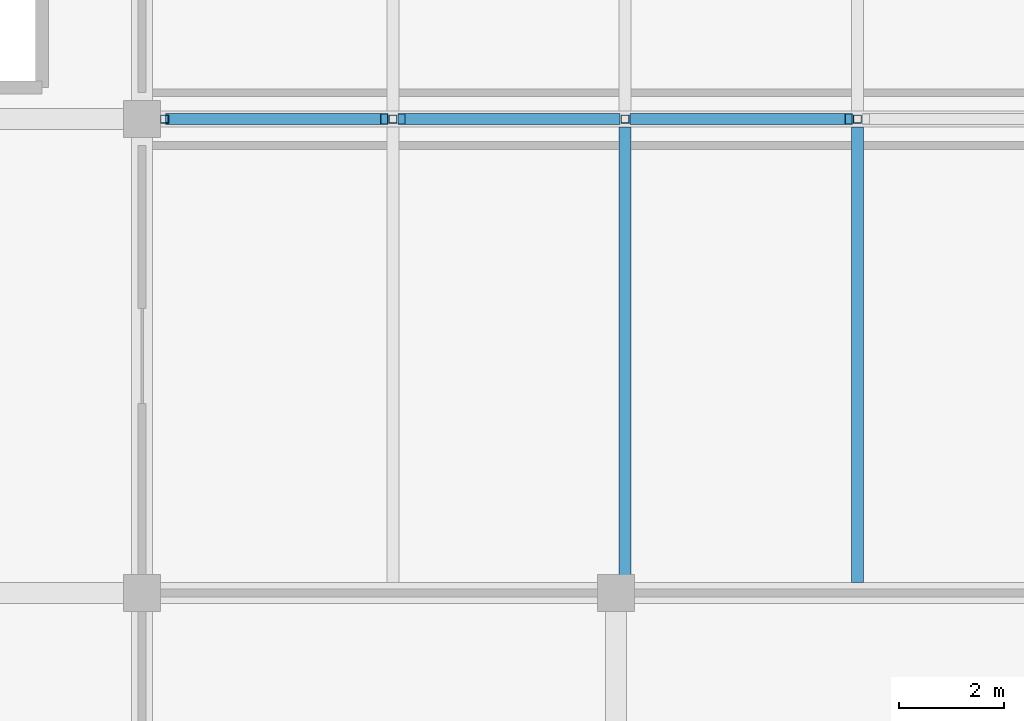
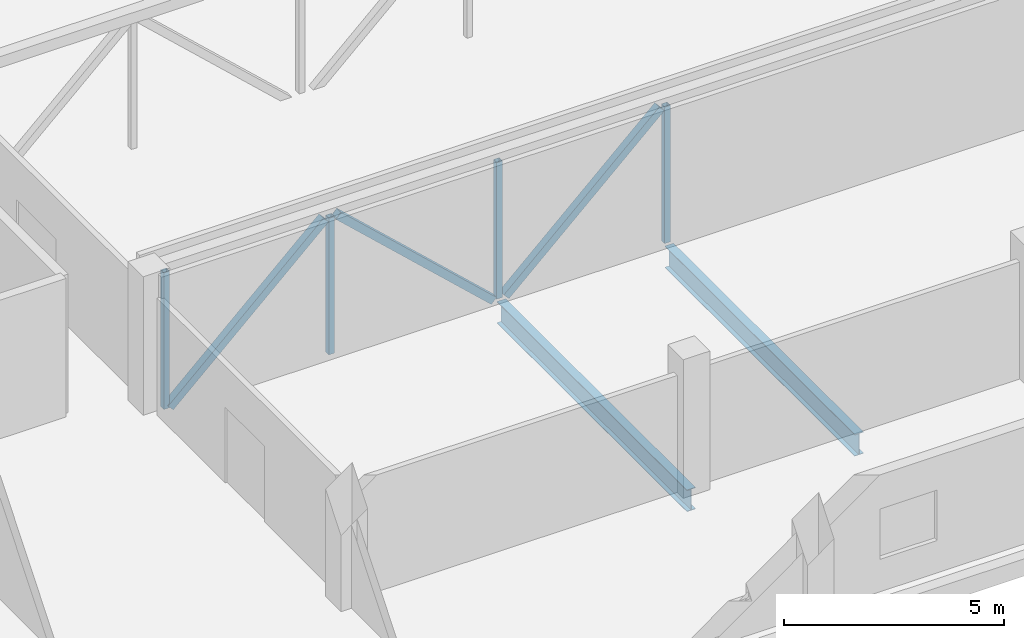
# One storey, part 4 of 42: 7 members, 2 beams.
"""IFC4 building model written with IfcOpenShell, lengths in metres."""

from ifc_helpers import new_model, si_unit, direction, frame, origin, origin_2d, place, context, subcontext, project, spatial, hollow_rectangle, i_section, extrude, material, material_profile, profile_set, type_object, element, save


model = new_model("IFC4")

# Units and contexts
model_context = context("Model", 3, precision=1e-05, world=origin(), true_north=direction((0.0, 1.0)))
body_context = subcontext(model_context, "Body", "Model", "MODEL_VIEW")
ifc_project = project(units=[si_unit("LENGTHUNIT", "METRE"), si_unit("AREAUNIT", "SQUARE_METRE"), si_unit("VOLUMEUNIT", "CUBIC_METRE"), si_unit("PLANEANGLEUNIT", "RADIAN"), si_unit("MASSUNIT", "GRAM", prefix="KILO")], contexts=[model_context])

# Site, building, storey
site_placement = place(None, origin())
site = spatial("IfcSite", under=ifc_project, at=site_placement, CompositionType="ELEMENT")
building_placement = place(site_placement, origin())
building = spatial("IfcBuilding", under=site, at=building_placement, Name="Corbel Stack Research Tower", CompositionType="ELEMENT")
storey_placement = place(building_placement, frame((0.0, 0.0, 11.300048828125)))
storey = spatial("IfcBuildingStorey", under=building, at=storey_placement, Name="L02", CompositionType="ELEMENT", Elevation=11.300048828125)

# Beams
ifc_material_1 = material(Name="Steel S355", Category="steel")
ifc_material_profile_1 = material_profile(ifc_material_1, i_section(OverallWidth=0.22802734375, OverallDepth=0.60302734375, WebThickness=0.010986328125, FlangeThickness=0.014892578125, at=origin_2d()), Name="W24x68")
ifc_profile_set_1 = profile_set([ifc_material_profile_1], Name="Steel S355")
beam_type = type_object("IfcBeamType", Name="HB2 steel beam W24x68", PredefinedType="BEAM", material=ifc_profile_set_1)
for number, where, z_axis, x_axis, name in (
    (1, (60.125, -17.800048828125, -0.551513671875), (0.0, 1.0, 0.0), (-1.0, 0.0, 0.0), "Steel floor beam L02 bay 1 line 2"),
    (2, (64.53759765625, -17.800048828125, -0.551513671875), (0.0, 1.0, 0.0), (-1.0, 0.0, 0.0), "Steel floor beam L02 bay 1 line 3"),
):
    element("IfcBeam", number, at=place(storey_placement, frame(where, z_axis=z_axis, x_axis=x_axis)), inside=storey, type_object=beam_type, Name=name, PredefinedType="BEAM", context=body_context, shape_type="SweptSolid", body=[
        extrude(i_section(OverallWidth=0.22802734375, OverallDepth=0.60302734375, WebThickness=0.010986328125, FlangeThickness=0.014892578125, at=origin_2d()), origin(), (0.0, 0.0, 1.0), 8.6474609375),
    ])

# Members
ifc_material_2 = material(Name="Steel S355", Category="steel")
ifc_material_profile_2 = material_profile(ifc_material_2, hollow_rectangle(XDim=0.202880859375, YDim=0.202880859375, WallThickness=0.0087890625, at=origin_2d()), Name="HSS8x8x3/8")
ifc_profile_set_2 = profile_set([ifc_material_profile_2], Name="Steel S355")
member_type_1 = type_object("IfcMemberType", Name="HT2 truss diagonal HSS8x8x3/8", PredefinedType="BRACE", material=ifc_profile_set_2)
for number, where, z_axis, x_axis, name in (
    (3, (51.464111328125, -9.0, -0.25), (0.732576659872, 0.0, 0.680684535898), (0.0, 1.0, 0.0), "Truss TA1 diagonal 1"),
    (4, (55.876708984375, -9.0, 3.544921875), (0.732576659872, 0.0, -0.680684535898), (0.0, 1.0, 0.0), "Truss TA1 diagonal 2"),
    (5, (60.2890625, -9.0, -0.25), (0.732576659872, 0.0, 0.680684535898), (0.0, 1.0, 0.0), "Truss TA1 diagonal 3"),
):
    element("IfcMember", number, at=place(storey_placement, frame(where, z_axis=z_axis, x_axis=x_axis)), inside=storey, type_object=member_type_1, Name=name, PredefinedType="BRACE", context=body_context, shape_type="SweptSolid", body=[
        extrude(hollow_rectangle(XDim=0.202880859375, YDim=0.202880859375, WallThickness=0.0087890625, at=origin_2d()), origin(), (0.0, 0.0, 1.0), 5.5751953125),
    ])
ifc_material_3 = material(Name="Steel S355", Category="steel")
ifc_material_profile_3 = material_profile(ifc_material_3, hollow_rectangle(XDim=0.152099609375, YDim=0.152099609375, WallThickness=0.005859375, at=origin_2d()), Name="HSS6x6x1/4")
ifc_profile_set_3 = profile_set([ifc_material_profile_3], Name="Steel S355")
member_type_2 = type_object("IfcMemberType", Name="HT3 truss post HSS6x6x1/4", PredefinedType="POST", material=ifc_profile_set_3)
for number, where, z_axis, x_axis, name in (
    (6, (51.3759765625, -9.0, -0.25), (0.0, 0.0, 1.0), (1.0, 0.0, 0.0), "Truss TA1 post 1"),
    (7, (55.71240234375, -9.0, -0.25), (0.0, 0.0, 1.0), (1.0, 0.0, 0.0), "Truss TA1 post 2"),
    (8, (60.125, -9.0, -0.25), (0.0, 0.0, 1.0), (1.0, 0.0, 0.0), "Truss TA1 post 3"),
    (9, (64.53759765625, -9.0, -0.25), (0.0, 0.0, 1.0), (1.0, 0.0, 0.0), "Truss TA1 post 4"),
):
    element("IfcMember", number, at=place(storey_placement, frame(where, z_axis=z_axis, x_axis=x_axis)), inside=storey, type_object=member_type_2, Name=name, PredefinedType="POST", context=body_context, shape_type="SweptSolid", body=[
        extrude(hollow_rectangle(XDim=0.152099609375, YDim=0.152099609375, WallThickness=0.005859375, at=origin_2d()), origin(), (0.0, 0.0, 1.0), 3.794921875),
    ])

save(model, "model.ifc")
